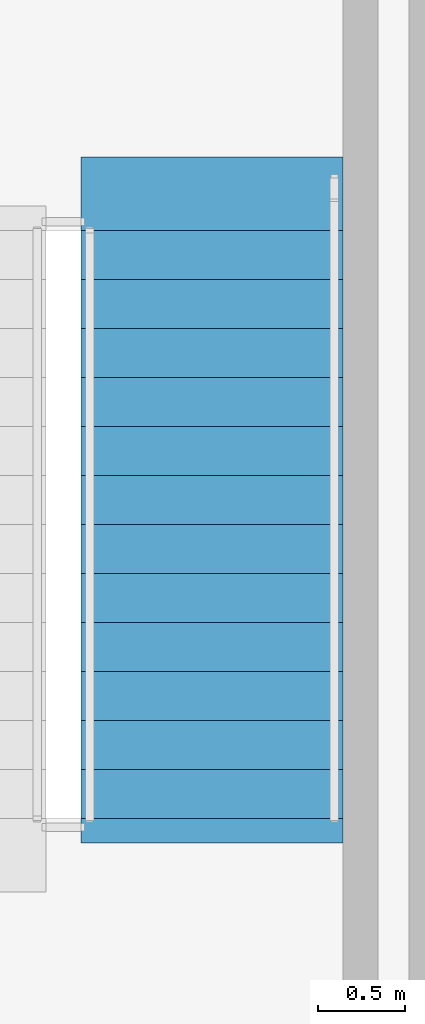
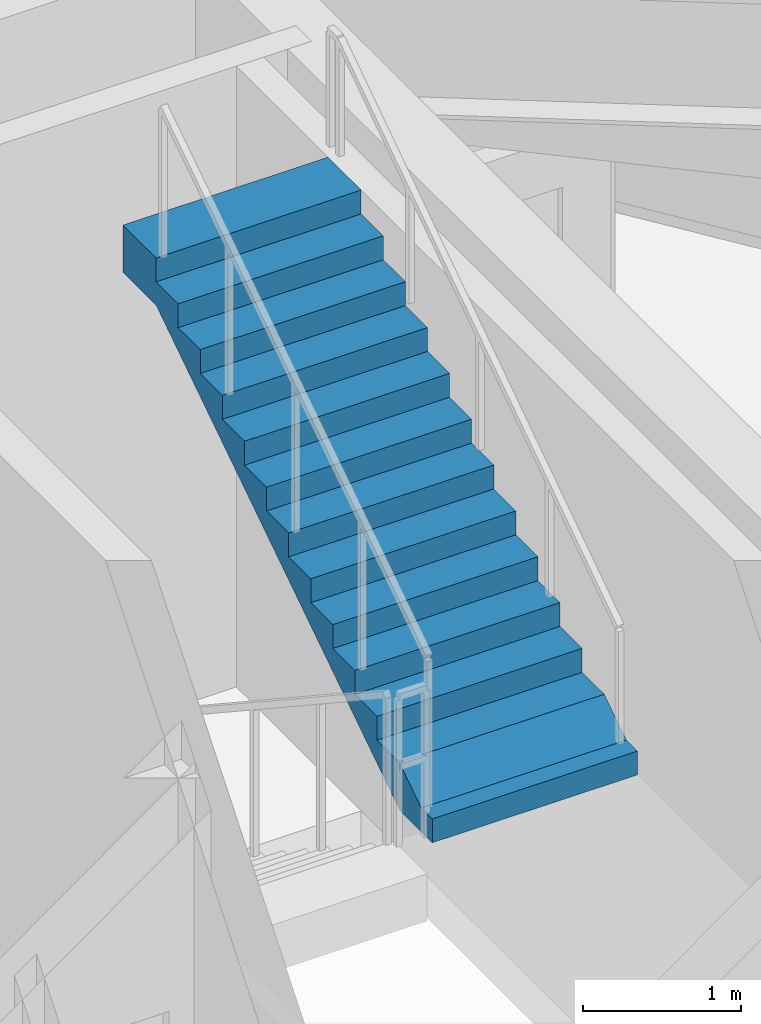
# One storey, part 8 of 10: 1 stair flight, 1 element without a shape of its own.
"""IFC4 building model written with IfcOpenShell, lengths in metres."""

from ifc_helpers import new_model, si_unit, direction, frame, origin, place, context, subcontext, project, spatial, polyline, outline, extrude, material, layer, layer_set, type_object, element, aggregate, save


model = new_model("IFC4")

# Units and contexts
model_context = context("Model", 3, precision=1e-05, world=origin(), true_north=direction((0.0, 1.0)))
body_context = subcontext(model_context, "Body", "Model", "MODEL_VIEW")
ifc_project = project(units=[si_unit("LENGTHUNIT", "METRE"), si_unit("AREAUNIT", "SQUARE_METRE"), si_unit("VOLUMEUNIT", "CUBIC_METRE"), si_unit("PLANEANGLEUNIT", "RADIAN"), si_unit("MASSUNIT", "GRAM", prefix="KILO")], contexts=[model_context])

# Site, building, storey
site_placement = place(None, origin())
site = spatial("IfcSite", under=ifc_project, at=site_placement, CompositionType="ELEMENT")
building_placement = place(site_placement, origin())
building = spatial("IfcBuilding", under=site, at=building_placement, Name="Talgorran Terracotta Tower", CompositionType="ELEMENT")
storey_placement = place(building_placement, frame((0.0, 0.0, 168.89990234375)))
storey = spatial("IfcBuildingStorey", under=building, at=storey_placement, Name="L44", CompositionType="ELEMENT", Elevation=168.89990234375)

# Stair, stair flight
ifc_material = material(Name="Concrete C40/50", Category="concrete")
stair_type = type_object("IfcStairType", Name="ST_FIRE_SCISSOR", PredefinedType="HALF_TURN_STAIR", material=ifc_material)
stair_placement = place(storey_placement, origin())
stair = element("IfcStair", 1, at=stair_placement, inside=storey, type_object=stair_type, Name="L44 East Protected Fire Stair ST-02", PredefinedType="HALF_TURN_STAIR")
ifc_layer = layer(ifc_material, 0.179931640625, Name="STF_RC_1500")
ifc_layer_set = layer_set([ifc_layer], Name="Concrete C40/50")
stair_flight_type = type_object("IfcStairFlightType", Name="STF_RC_1500", PredefinedType="STRAIGHT", material=ifc_layer_set)
stair_flight_placement = place(storey_placement, frame((11.050048828125, -10.56005859375, 2.400146484375), z_axis=(0.0, 0.0, 1.0), x_axis=(0.0, 1.0, 0.0)))
stair_flight = element("IfcStairFlight", 2, at=stair_flight_placement, type_object=stair_flight_type, Name="ST-02 flight 2", NumberOfRisers=13, NumberOfTreads=12, PredefinedType="STRAIGHT", RiserHeight=0.184615385, TreadLength=0.28, context=body_context, shape_type="SweptSolid", body=[
    extrude(outline(polyline([(-0.139892578125, 0.0), (-0.139892578125, 0.1845703125), (0.0, 0.1845703125), (0.280029296875, 0.369140625), (0.56005859375, 0.369140625), (0.56005859375, 0.553955078125), (0.840087890625, 0.553955078125), (0.840087890625, 0.738525390625), (1.1201171875, 0.738525390625), (1.1201171875, 0.923095703125), (1.39990234375, 0.923095703125), (1.39990234375, 1.107666015625), (1.679931640625, 1.107666015625), (1.679931640625, 1.292236328125), (1.9599609375, 1.292236328125), (1.9599609375, 1.476806640625), (2.239990234375, 1.476806640625), (2.239990234375, 1.66162109375), (2.52001953125, 1.66162109375), (2.52001953125, 1.84619140625), (2.800048828125, 1.84619140625), (2.800048828125, 2.03076171875), (3.080078125, 2.03076171875), (3.080078125, 2.21533203125), (3.360107421875, 2.21533203125), (3.360107421875, 2.39990234375), (3.780029296875, 2.39990234375), (3.780029296875, 2.035888671875), (3.360107421875, 2.035888671875), (0.272216796875, 0.0), (-0.139892578125, 0.0)])), frame((0.0, 0.75, 0.0), z_axis=(0.0, -1.0, 0.0), x_axis=(1.0, 0.0, 0.0)), (0.0, 0.0, 1.0), 1.5),
])
aggregate(stair, [stair_flight])

save(model, "model.ifc")
